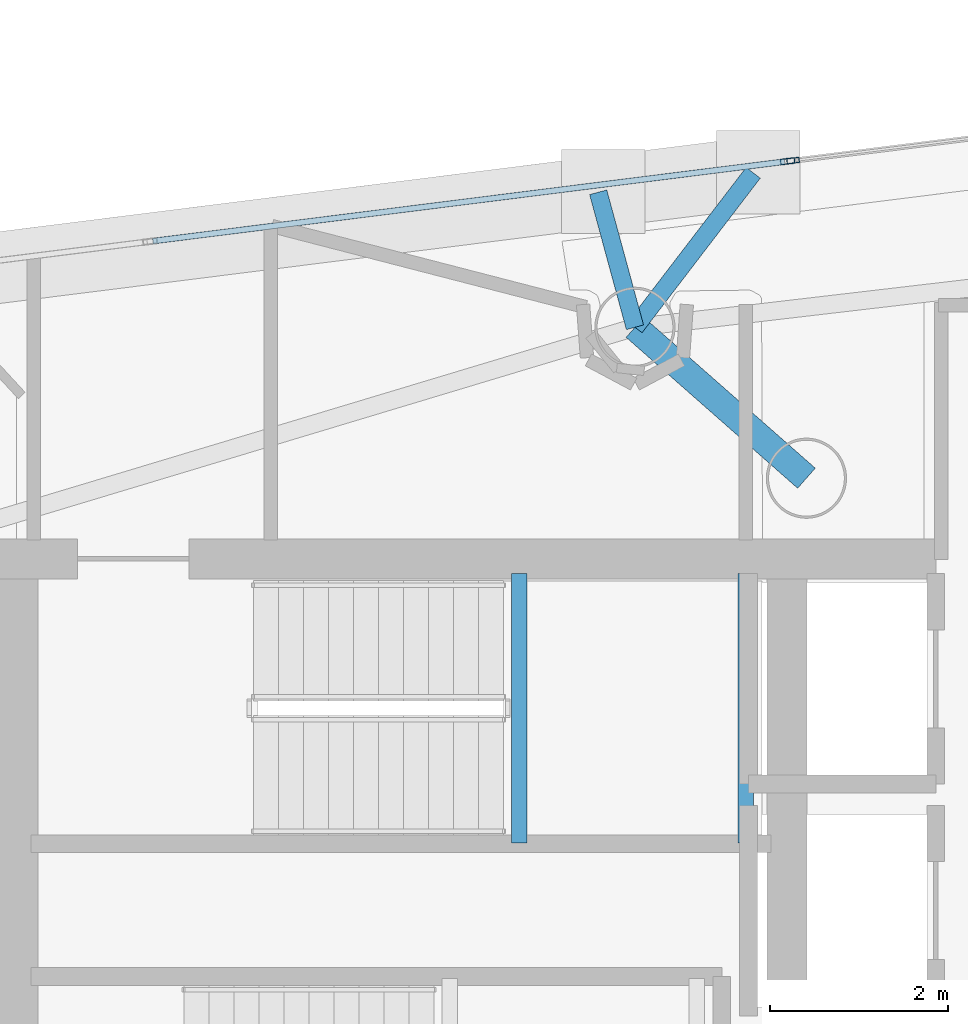
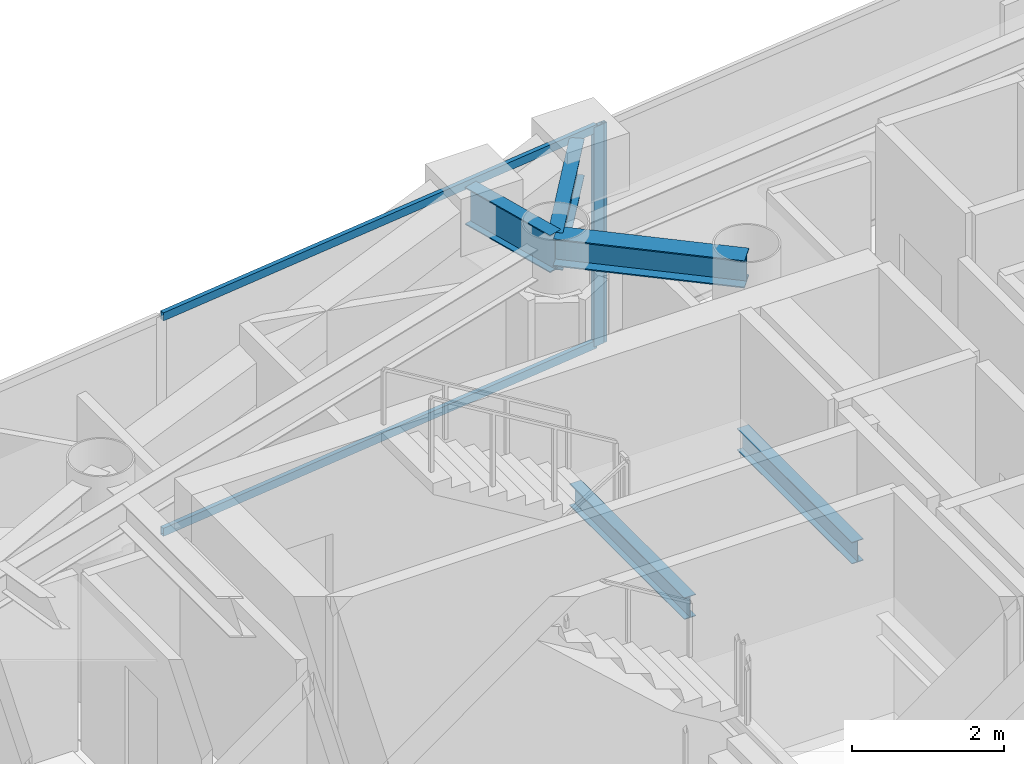
# One storey, part 14 of 23: 5 beams, 4 members, 2 elements without a shape of their own.
"""IFC4 building model written with IfcOpenShell, lengths in metres."""

from ifc_helpers import new_model, si_unit, direction, frame, origin, origin_2d, place, context, subcontext, project, spatial, hollow_rectangle, i_section, extrude, material, layer, layer_set, material_profile, profile_set, type_object, element, aggregate, save


model = new_model("IFC4")

# Units and contexts
model_context = context("Model", 3, precision=1e-05, world=origin(), true_north=direction((0.0, 1.0)))
body_context = subcontext(model_context, "Body", "Model", "MODEL_VIEW")
ifc_project = project(units=[si_unit("LENGTHUNIT", "METRE"), si_unit("AREAUNIT", "SQUARE_METRE"), si_unit("VOLUMEUNIT", "CUBIC_METRE"), si_unit("PLANEANGLEUNIT", "RADIAN"), si_unit("MASSUNIT", "GRAM", prefix="KILO")], contexts=[model_context])

# Site, building, storey
site_placement = place(None, origin())
site = spatial("IfcSite", under=ifc_project, at=site_placement, CompositionType="ELEMENT")
building_placement = place(site_placement, origin())
building = spatial("IfcBuilding", under=site, at=building_placement, Name="Qianvela Tower", CompositionType="ELEMENT")
storey_placement = place(building_placement, frame((0.0, 0.0, 284.300048828125)))
storey = spatial("IfcBuildingStorey", under=building, at=storey_placement, Name="L73", CompositionType="ELEMENT", Elevation=284.300048828125)

# Beams
ifc_material_1 = material(Name="Steel Q355B", Category="steel")
ifc_material_profile_1 = material_profile(ifc_material_1, i_section(OverallWidth=0.300048828125, OverallDepth=0.43994140625, WebThickness=0.010986328125, FlangeThickness=0.01806640625, at=origin_2d()), Name="HM440x300x11x18")
ifc_profile_set_1 = profile_set([ifc_material_profile_1], Name="Steel Q355B")
beam_type_1 = type_object("IfcBeamType", Name="BM-HM440-COLL", PredefinedType="BEAM", material=ifc_profile_set_1)
beam_1_placement = place(storey_placement, frame((38.39990234375, 33.550048828125, 3.2978515625), z_axis=(-0.750732416106, 0.660606417928, 0.0), x_axis=(-0.660606417928, -0.750732416106, 0.0)))
element("IfcBeam", 1, at=beam_1_placement, inside=storey, type_object=beam_type_1, Name="L73 Radial Primary Floor Girder 2", PredefinedType="BEAM", context=body_context, shape_type="SweptSolid", body=[
    extrude(i_section(OverallWidth=0.300048828125, OverallDepth=0.43994140625, WebThickness=0.010986328125, FlangeThickness=0.01806640625, at=origin_2d()), origin(), (0.0, 0.0, 1.0), 2.5625),
])
ifc_material_2 = material(Name="Steel Q355B", Category="steel")
ifc_material_profile_2 = material_profile(ifc_material_2, i_section(OverallWidth=0.175048828125, OverallDepth=0.35009765625, WebThickness=0.007080078125, FlangeThickness=0.010986328125, at=origin_2d()), Name="HN350x175x7x11")
ifc_profile_set_2 = profile_set([ifc_material_profile_2], Name="Steel Q355B")
beam_type_2 = type_object("IfcBeamType", Name="BM-HN350-JOIST", PredefinedType="JOIST", material=ifc_profile_set_2)
for number, where, z_axis, x_axis, name in (
    (2, (35.179931640625, 29.4599609375, 1.474853515625), (0.0, 1.0, 0.0), (-1.0, 0.0, 0.0), "L73 Stair ST-1 Landing Support Beam 1.1"),
    (3, (37.719970703125, 29.4599609375, 1.474853515625), (0.0, 1.0, 0.0), (-1.0, 0.0, 0.0), "L73 Stair ST-1 Landing Support Beam 1.2"),
):
    element("IfcBeam", number, at=place(storey_placement, frame(where, z_axis=z_axis, x_axis=x_axis)), inside=storey, type_object=beam_type_2, Name=name, PredefinedType="JOIST", context=body_context, shape_type="SweptSolid", body=[
        extrude(i_section(OverallWidth=0.175048828125, OverallDepth=0.35009765625, WebThickness=0.007080078125, FlangeThickness=0.010986328125, at=origin_2d()), origin(), (0.0, 0.0, 1.0), 3.02001953125),
    ])
ifc_material_3 = material(Name="Steel Q355B", Category="steel")
ifc_material_profile_3 = material_profile(ifc_material_3, i_section(OverallWidth=0.199951171875, OverallDepth=0.60009765625, WebThickness=0.010986328125, FlangeThickness=0.01708984375, at=origin_2d()), Name="HN600x200x11x17")
ifc_profile_set_3 = profile_set([ifc_material_profile_3], Name="Steel Q355B")
beam_type_3 = type_object("IfcBeamType", Name="BM-HN600-GIRD", PredefinedType="BEAM", material=ifc_profile_set_3)
beam_2_placement = place(storey_placement, frame((36.47607421875, 35.242919921875, 3.218017578125), z_axis=(0.607827859609, 0.794068821377, 0.0), x_axis=(-0.794068821377, 0.607827859609, 0.0)))
element("IfcBeam", 4, at=beam_2_placement, inside=storey, type_object=beam_type_3, Name="L73 Mega-Brace Column Tie Bracket F1-1", PredefinedType="BEAM", context=body_context, shape_type="SweptSolid", body=[
    extrude(i_section(OverallWidth=0.199951171875, OverallDepth=0.60009765625, WebThickness=0.010986328125, FlangeThickness=0.01708984375, at=origin_2d()), origin(), (0.0, 0.0, 1.0), 2.1826171875),
])
beam_3_placement = place(storey_placement, frame((36.47607421875, 35.242919921875, 3.218017578125), z_axis=(-0.262683103203, 0.964882162387, 0.0), x_axis=(-0.964882162387, -0.262683103203, 0.0)))
element("IfcBeam", 5, at=beam_3_placement, inside=storey, type_object=beam_type_3, Name="L73 Mega-Brace Column Tie Bracket F1-2", PredefinedType="BEAM", context=body_context, shape_type="SweptSolid", body=[
    extrude(i_section(OverallWidth=0.199951171875, OverallDepth=0.60009765625, WebThickness=0.010986328125, FlangeThickness=0.01708984375, at=origin_2d()), origin(), (0.0, 0.0, 1.0), 1.56982421875),
])

# Curtain wall, members
ifc_material_4 = material(Name="Anodised Architectural Aluminium and Insulated Spandrel Panel", Category="aluminium")
ifc_layer_1 = layer(ifc_material_4, 0.179931640625)
ifc_layer_set_1 = layer_set([ifc_layer_1], Name="Anodised Architectural Aluminium and Insulated Spandrel Panel")
curtain_wall_type_1 = type_object("IfcCurtainWallType", Name="CW-BRACEBAY", PredefinedType="USERDEFINED", material=ifc_layer_set_1)
curtain_wall_1_placement = place(storey_placement, origin())
curtain_wall_1 = element("IfcCurtainWall", 6, at=curtain_wall_1_placement, inside=storey, type_object=curtain_wall_type_1, Name="L73 CW-BRACEBAY Curtain Wall 02B", ObjectType="CURTAIN_WALL_SYSTEM", PredefinedType="USERDEFINED")
ifc_material_5 = material(Name="Anodised Architectural Aluminium 6063-T6", Category="aluminium")
ifc_material_profile_4 = material_profile(ifc_material_5, hollow_rectangle(XDim=0.06494140625, YDim=0.159912109375, WallThickness=0.0048828125, at=origin_2d()), Name="ALU-MULL-65x160")
ifc_profile_set_4 = profile_set([ifc_material_profile_4], Name="Anodised Architectural Aluminium 6063-T6")
member_type_1 = type_object("IfcMemberType", Name="CW-BRACEBAY-MULL", PredefinedType="MULLION", material=ifc_profile_set_4)
member_1_placement = place(storey_placement, frame((38.18798828125, 37.105224609375, 0.0), z_axis=(0.0, 0.0, 1.0), x_axis=(0.124765685539, -0.992186234389, 0.0)))
member_1 = element("IfcMember", 7, at=member_1_placement, type_object=member_type_1, Name="CW-9 mullion 1", PredefinedType="MULLION", context=body_context, shape_type="SweptSolid", body=[
    extrude(hollow_rectangle(XDim=0.06494140625, YDim=0.159912109375, WallThickness=0.0048828125, at=origin_2d()), origin(), (0.0, 0.0, 1.0), 3.52001953125),
])
ifc_material_6 = material(Name="Anodised Architectural Aluminium 6063-T6", Category="aluminium")
ifc_material_profile_5 = material_profile(ifc_material_6, hollow_rectangle(XDim=0.06494140625, YDim=0.1298828125, WallThickness=0.00439453125, at=origin_2d()), Name="ALU-TRAN-65x130")
ifc_profile_set_5 = profile_set([ifc_material_profile_5], Name="Anodised Architectural Aluminium 6063-T6")
member_type_2 = type_object("IfcMemberType", Name="CW-BRACEBAY-TRAN", PredefinedType="USERDEFINED", material=ifc_profile_set_5)
member_2_placement = place(storey_placement, frame((38.15576171875, 37.10107421875, 0.032470703125), z_axis=(-0.992186634405, -0.124762504412, 0.0), x_axis=(0.124762504412, -0.992186634405, 0.0)))
member_2 = element("IfcMember", 8, at=member_2_placement, type_object=member_type_2, Name="CW-9 transom 1.1", ObjectType="TRANSOM", PredefinedType="USERDEFINED", context=body_context, shape_type="SweptSolid", body=[
    extrude(hollow_rectangle(XDim=0.06494140625, YDim=0.1298828125, WallThickness=0.00439453125, at=origin_2d()), origin(), (0.0, 0.0, 1.0), 7.142578125),
])
member_3_placement = place(storey_placement, frame((38.15576171875, 37.10107421875, 3.487548828125), z_axis=(-0.992186634405, -0.124762504412, 0.0), x_axis=(0.124762504412, -0.992186634405, 0.0)))
member_3 = element("IfcMember", 9, at=member_3_placement, type_object=member_type_2, Name="CW-9 transom 1.2", ObjectType="TRANSOM", PredefinedType="USERDEFINED", context=body_context, shape_type="SweptSolid", body=[
    extrude(hollow_rectangle(XDim=0.06494140625, YDim=0.1298828125, WallThickness=0.00439453125, at=origin_2d()), origin(), (0.0, 0.0, 1.0), 7.142578125),
])
aggregate(curtain_wall_1, [member_1, member_2, member_3])

# Curtain wall, member
ifc_material_7 = material(Name="Anodised Architectural Aluminium and Low-E Glass", Category="aluminium")
ifc_layer_2 = layer(ifc_material_7, 0.14990234375)
ifc_layer_set_2 = layer_set([ifc_layer_2], Name="Anodised Architectural Aluminium and Low-E Glass")
curtain_wall_type_2 = type_object("IfcCurtainWallType", Name="CW-COLIV-Z78", PredefinedType="USERDEFINED", material=ifc_layer_set_2)
curtain_wall_2_placement = place(storey_placement, origin())
curtain_wall_2 = element("IfcCurtainWall", 10, at=curtain_wall_2_placement, inside=storey, type_object=curtain_wall_type_2, Name="L73 CW-COLIV-Z78 Curtain Wall 02A", ObjectType="CURTAIN_WALL_SYSTEM", PredefinedType="USERDEFINED")
ifc_material_8 = material(Name="Anodised Architectural Aluminium 6063-T6", Category="aluminium")
ifc_material_profile_6 = material_profile(ifc_material_8, hollow_rectangle(XDim=0.06005859375, YDim=0.139892578125, WallThickness=0.00439453125, at=origin_2d()), Name="ALU-MULL-60x140")
ifc_profile_set_6 = profile_set([ifc_material_profile_6], Name="Anodised Architectural Aluminium 6063-T6")
member_type_3 = type_object("IfcMemberType", Name="CW-COLIV-Z78-MULL", PredefinedType="MULLION", material=ifc_profile_set_6)
member_4_placement = place(storey_placement, frame((38.25, 37.113037109375, 0.0), z_axis=(0.0, 0.0, 1.0), x_axis=(0.124761582312, -0.992186750354, 0.0)))
member_4 = element("IfcMember", 11, at=member_4_placement, type_object=member_type_3, Name="CW-6 mullion 3", PredefinedType="MULLION", context=body_context, shape_type="SweptSolid", body=[
    extrude(hollow_rectangle(XDim=0.06005859375, YDim=0.139892578125, WallThickness=0.00439453125, at=origin_2d()), origin(), (0.0, 0.0, 1.0), 3.52001953125),
])
aggregate(curtain_wall_2, [member_4])

save(model, "model.ifc")
